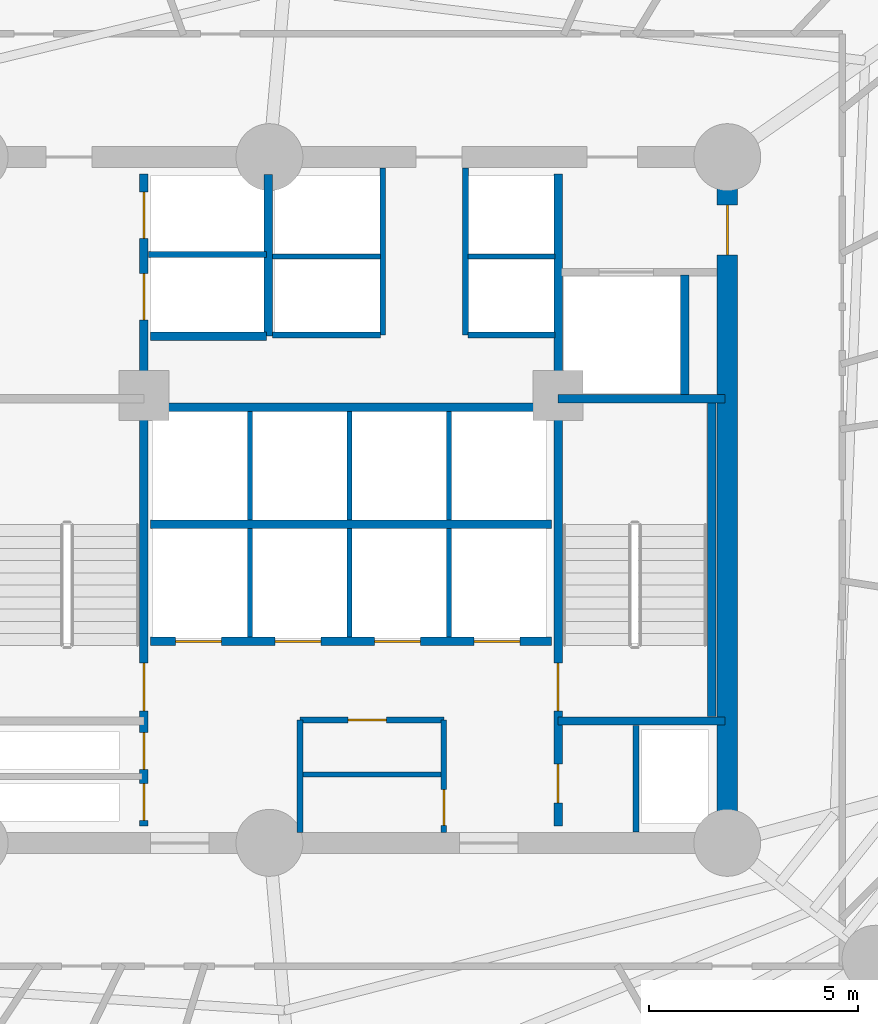
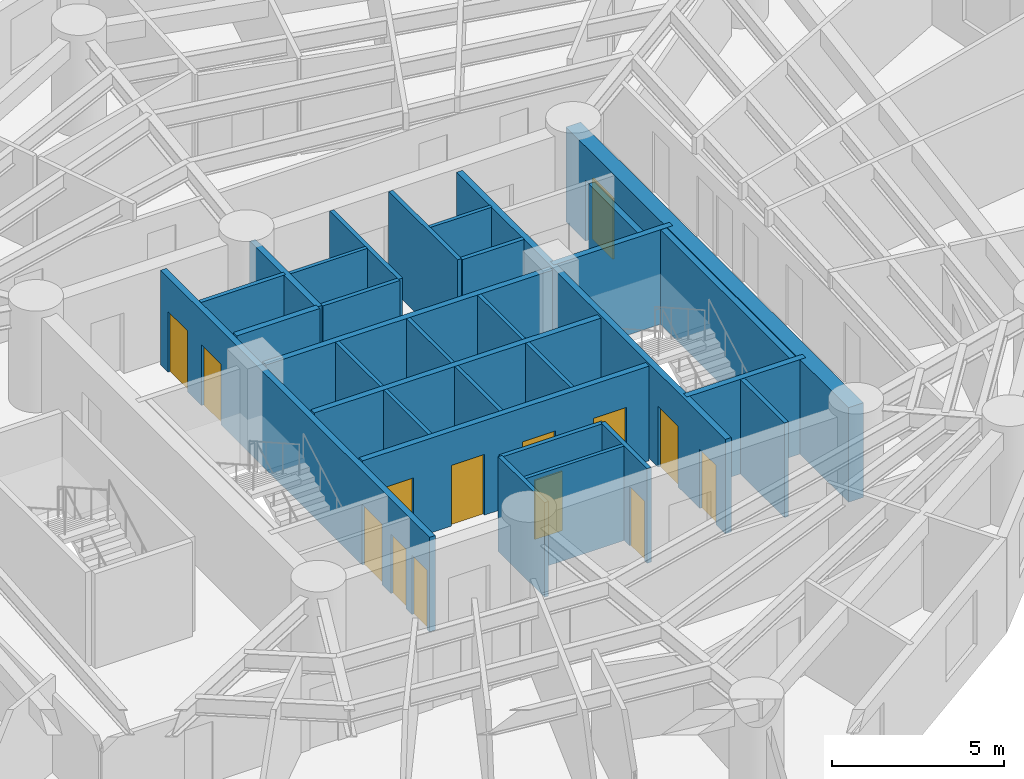
# One storey, part 4 of 8: 30 walls, 14 doors, 14 openings.
"""IFC4 building model written with IfcOpenShell, lengths in metres."""

from ifc_helpers import new_model, si_unit, direction, frame, frame_2d, origin, origin_with_axes, place, context, subcontext, project, spatial, rectangle, extrude, source, transform, mapped, material, layer, layer_set, type_object, element, fill, save


model = new_model("IFC4")

# Units and contexts
model_context = context("Model", 3, precision=1e-05, world=origin(), true_north=direction((0.0, 1.0)))
body_context = subcontext(model_context, "Body", "Model", "MODEL_VIEW")
ifc_project = project(units=[si_unit("LENGTHUNIT", "METRE"), si_unit("AREAUNIT", "SQUARE_METRE"), si_unit("VOLUMEUNIT", "CUBIC_METRE"), si_unit("PLANEANGLEUNIT", "RADIAN"), si_unit("MASSUNIT", "GRAM", prefix="KILO")], contexts=[model_context])

# Site, building, storey
site_placement = place(None, origin())
site = spatial("IfcSite", under=ifc_project, at=site_placement, CompositionType="ELEMENT")
building_placement = place(site_placement, origin())
building = spatial("IfcBuilding", under=site, at=building_placement, Name="Karkom Vertical University and Central Library", CompositionType="ELEMENT")
storey_placement = place(building_placement, frame((0.0, 0.0, 76.89990234375)))
storey = spatial("IfcBuildingStorey", under=building, at=storey_placement, Name="L20", CompositionType="ELEMENT", Elevation=76.89990234375)

# Walls
ifc_material_1 = material(Name="Moisture-resistant drywall 120mm", Category="gypsum")
ifc_layer_1 = layer(ifc_material_1, 0.1201171875)
ifc_layer_set_1 = layer_set([ifc_layer_1], Name="Moisture-resistant drywall 120mm")
wall_type_1 = type_object("IfcWallType", Name="INT-WL-INT-120", PredefinedType="PARTITIONING", material=ifc_layer_set_1)
wall_1_placement = place(storey_placement, frame((27.280029296875, 19.93994140625, 0.0), z_axis=(0.0, 0.0, 1.0), x_axis=(1.0, 0.0, 0.0)))
element("IfcWall", 1, at=wall_1_placement, inside=storey, type_object=wall_type_1, Name="Level 20 Interior Partition Wall L20-CW-K4-DIV", PredefinedType="PARTITIONING", context=body_context, shape_type="SweptSolid", body=[
    extrude(rectangle(XDim=3.43994140625, YDim=0.1201171875, at=frame_2d((1.719970703125, 0.0))), origin(), (0.0, 0.0, 1.0), 3.35009765625),
])
ifc_layer_2 = layer(ifc_material_1, 0.1201171875)
ifc_layer_set_2 = layer_set([ifc_layer_2], Name="Moisture-resistant drywall 120mm")
wall_type_2 = type_object("IfcWallType", Name="INT-WL-INT-120H", PredefinedType="PARTITIONING", material=ifc_layer_set_2)
for number, where, z_axis, x_axis, name in (
    (2, (26.080078125, 23.219970703125, 0.0), (0.0, 0.0, 1.0), (0.0, 1.0, 0.0), "Level 20 Interior Partition Wall L20-CW-PL-DIV1"),
    (3, (28.4599609375, 23.219970703125, 0.0), (0.0, 0.0, 1.0), (0.0, 1.0, 0.0), "Level 20 Interior Partition Wall L20-CW-PL-DIV2"),
    (4, (30.840087890625, 23.219970703125, 0.0), (0.0, 0.0, 1.0), (0.0, 1.0, 0.0), "Level 20 Interior Partition Wall L20-CW-PL-DIV3"),
    (5, (26.080078125, 26.02001953125, 0.0), (0.0, 0.0, 1.0), (0.0, 1.0, 0.0), "Level 20 Interior Partition Wall L20-CW-PM-DIV1"),
    (6, (28.4599609375, 26.02001953125, 0.0), (0.0, 0.0, 1.0), (0.0, 1.0, 0.0), "Level 20 Interior Partition Wall L20-CW-PM-DIV2"),
    (7, (30.840087890625, 26.02001953125, 0.0), (0.0, 0.0, 1.0), (0.0, 1.0, 0.0), "Level 20 Interior Partition Wall L20-CW-PM-DIV3"),
):
    element("IfcWall", number, at=place(storey_placement, frame(where, z_axis=z_axis, x_axis=x_axis)), inside=storey, type_object=wall_type_2, Name=name, PredefinedType="PARTITIONING", context=body_context, shape_type="SweptSolid", body=[
        extrude(rectangle(XDim=2.60009765625, YDim=0.1201171875, at=frame_2d((1.300048828125, 0.0))), origin(), (0.0, 0.0, 1.0), 3.35009765625),
    ])
wall_2_placement = place(storey_placement, frame((26.6201171875, 32.320068359375, 0.0), z_axis=(0.0, 0.0, 1.0), x_axis=(1.0, 0.0, 0.0)))
element("IfcWall", 8, at=wall_2_placement, inside=storey, type_object=wall_type_2, Name="Level 20 Interior Partition Wall L20-CW-PH-MW", PredefinedType="PARTITIONING", context=body_context, shape_type="SweptSolid", body=[
    extrude(rectangle(XDim=2.579833984375, YDim=0.1201171875, at=frame_2d((1.2900390625, 0.0))), origin(), (0.0, 0.0, 1.0), 3.35009765625),
])
wall_3_placement = place(storey_placement, frame((31.300048828125, 32.320068359375, 0.0), z_axis=(0.0, 0.0, 1.0), x_axis=(1.0, 0.0, 0.0)))
element("IfcWall", 9, at=wall_3_placement, inside=storey, type_object=wall_type_2, Name="Level 20 Interior Partition Wall L20-CW-PH-ME", PredefinedType="PARTITIONING", context=body_context, shape_type="SweptSolid", body=[
    extrude(rectangle(XDim=2.074951171875, YDim=0.1201171875, at=frame_2d((1.03759765625, 0.0))), origin(), (0.0, 0.0, 1.0), 3.35009765625),
])

# Wall, opening, door
ifc_material_2 = material(Name="Metal-stud gypsum partition 140mm", Category="gypsum")
ifc_layer_3 = layer(ifc_material_2, 0.139892578125)
ifc_layer_set_3 = layer_set([ifc_layer_3], Name="Metal-stud gypsum partition 140mm")
wall_type_3 = type_object("IfcWallType", Name="INT-WL-SUB-140", PredefinedType="PARTITIONING", material=ifc_layer_set_3)
wall_4_placement = place(storey_placement, frame((27.280029296875, 21.239990234375, 0.0), z_axis=(0.0, 0.0, 1.0), x_axis=(1.0, 0.0, 0.0)))
wall_4 = element("IfcWall", 10, at=wall_4_placement, inside=storey, type_object=wall_type_3, Name="Level 20 Interior Partition Wall L20-CW-KBAY-N", PredefinedType="PARTITIONING", context=body_context, shape_type="SweptSolid", body=[
    extrude(rectangle(XDim=3.43994140625, YDim=0.139892578125, at=frame_2d((1.719970703125, 0.0))), origin(), (0.0, 0.0, 1.0), 3.35009765625),
])
opening_1_placement = place(wall_4_placement, frame((1.14990234375, 0.0, 0.0)))
opening_1 = element("IfcOpeningElement", 11, at=opening_1_placement, cuts=wall_4, Name="Opening D-SVC1", PredefinedType="OPENING", context=body_context, shape_type="SweptSolid", body=[
    extrude(rectangle(XDim=0.919921875, YDim=2.10009765625, at=frame_2d((0.4599609375, 1.050048828125))), frame((0.0, 0.080078125, 0.0), z_axis=(0.0, -1.0, 0.0), x_axis=(1.0, 0.0, 0.0)), (0.0, 0.0, 1.0), 0.159912109375),
])
ifc_material_3 = material(Name="Painted timber service door", Category="wood")
door_type_1 = type_object("IfcDoorType", Name="INT-DR-SVC1", OperationType="NOTDEFINED", PredefinedType="DOOR", material=ifc_material_3)
shared_shape_1 = source(origin_with_axes(), body_context, "Body", "SweptSolid", [
    extrude(rectangle(XDim=0.919921875, YDim=2.10009765625, at=frame_2d((0.4599609375, 1.050048828125))), frame((0.0, 0.02490234375, 0.0), z_axis=(0.0, -1.0, 0.0), x_axis=(1.0, 0.0, 0.0)), (0.0, 0.0, 1.0), 0.050048828125),
])
door_1_placement = place(opening_1_placement, origin())
door_1 = element("IfcDoor", 12, at=door_1_placement, inside=storey, type_object=door_type_1, Name="Level 20 Valve Cupboard Door", OperationType="SINGLE_SWING_LEFT", OverallHeight=2.10009765625, OverallWidth=0.919921875, PredefinedType="DOOR", context=body_context, shape_type="MappedRepresentation", body=[
    mapped(shared_shape_1, transform((0.0, 0.0, 0.0), scale=1.0)),
])
fill(opening_1, door_1)

# Wall
wall_5_placement = place(storey_placement, frame((27.280029296875, 18.550048828125, 0.0), z_axis=(0.0, 0.0, 1.0), x_axis=(0.0, 1.0, 0.0)))
element("IfcWall", 13, at=wall_5_placement, inside=storey, type_object=wall_type_3, Name="Level 20 Interior Partition Wall L20-CW-KBAY-W", PredefinedType="PARTITIONING", context=body_context, shape_type="SweptSolid", body=[
    extrude(rectangle(XDim=2.68994140625, YDim=0.139892578125, at=frame_2d((1.344970703125, 0.0))), origin(), (0.0, 0.0, 1.0), 3.35009765625),
])

# Wall, opening, door
wall_6_placement = place(storey_placement, frame((30.719970703125, 18.550048828125, 0.0), z_axis=(0.0, 0.0, 1.0), x_axis=(0.0, 1.0, 0.0)))
wall_6 = element("IfcWall", 14, at=wall_6_placement, inside=storey, type_object=wall_type_3, Name="Level 20 Interior Partition Wall L20-CW-KBAY-E", PredefinedType="PARTITIONING", context=body_context, shape_type="SweptSolid", body=[
    extrude(rectangle(XDim=2.68994140625, YDim=0.139892578125, at=frame_2d((1.344970703125, 0.0))), origin(), (0.0, 0.0, 1.0), 3.35009765625),
])
opening_2_placement = place(wall_6_placement, frame((0.159912109375, 0.0, 0.0)))
opening_2 = element("IfcOpeningElement", 15, at=opening_2_placement, cuts=wall_6, Name="Opening FD-BTH1", PredefinedType="OPENING", context=body_context, shape_type="SweptSolid", body=[
    extrude(rectangle(XDim=0.860107421875, YDim=2.10009765625, at=frame_2d((0.43017578125, 1.050048828125))), frame((0.0, 0.080078125, 0.0), z_axis=(0.0, -1.0, 0.0), x_axis=(1.0, 0.0, 0.0)), (0.0, 0.0, 1.0), 0.159912109375),
])
ifc_material_4 = material(Name="Fire-rated moisture-resistant oak door", Category="wood")
door_type_2 = type_object("IfcDoorType", Name="INT-DR-FBTH1", OperationType="NOTDEFINED", PredefinedType="DOOR", material=ifc_material_4)
shared_shape_2 = source(origin_with_axes(), body_context, "Body", "SweptSolid", [
    extrude(rectangle(XDim=0.860107421875, YDim=2.10009765625, at=frame_2d((0.43017578125, 1.050048828125))), frame((0.0, 0.02490234375, 0.0), z_axis=(0.0, -1.0, 0.0), x_axis=(1.0, 0.0, 0.0)), (0.0, 0.0, 1.0), 0.050048828125),
])
door_2_placement = place(opening_2_placement, origin())
door_2 = element("IfcDoor", 16, at=door_2_placement, inside=storey, type_object=door_type_2, Name="Level 20 Metering Cupboard Door", OperationType="SINGLE_SWING_RIGHT", OverallHeight=2.10009765625, OverallWidth=0.860107421875, PredefinedType="DOOR", context=body_context, shape_type="MappedRepresentation", body=[
    mapped(shared_shape_2, transform((0.0, 0.0, 0.0), scale=1.0)),
])
fill(opening_2, door_2)

# Walls
ifc_layer_4 = layer(ifc_material_2, 0.139892578125)
ifc_layer_set_4 = layer_set([ifc_layer_4], Name="Metal-stud gypsum partition 140mm")
wall_type_4 = type_object("IfcWallType", Name="INT-WL-SUB-140H", PredefinedType="PARTITIONING", material=ifc_layer_set_4)
for number, where, z_axis, x_axis, name in (
    (17, (29.260009765625, 30.449951171875, 0.0), (0.0, 0.0, 1.0), (0.0, 1.0, 0.0), "Level 20 Interior Partition Wall L20-CW-PH-W"),
    (18, (31.239990234375, 30.449951171875, 0.0), (0.0, 0.0, 1.0), (0.0, 1.0, 0.0), "Level 20 Interior Partition Wall L20-CW-PH-E"),
):
    element("IfcWall", number, at=place(storey_placement, frame(where, z_axis=z_axis, x_axis=x_axis)), inside=storey, type_object=wall_type_4, Name=name, PredefinedType="PARTITIONING", context=body_context, shape_type="SweptSolid", body=[
        extrude(rectangle(XDim=3.9931640625, YDim=0.139892578125, at=frame_2d((1.99658203125, 0.0))), origin(), (0.0, 0.0, 1.0), 3.35009765625),
    ])
wall_7_placement = place(storey_placement, frame((26.6201171875, 30.449951171875, 0.0), z_axis=(0.0, 0.0, 1.0), x_axis=(1.0, 0.0, 0.0)))
element("IfcWall", 19, at=wall_7_placement, inside=storey, type_object=wall_type_4, Name="Level 20 Interior Partition Wall L20-CW-PH-S1", PredefinedType="PARTITIONING", context=body_context, shape_type="SweptSolid", body=[
    extrude(rectangle(XDim=2.579833984375, YDim=0.139892578125, at=frame_2d((1.2900390625, 0.0))), origin(), (0.0, 0.0, 1.0), 3.35009765625),
])
wall_8_placement = place(storey_placement, frame((35.320068359375, 18.556884765625, 0.0), z_axis=(0.0, 0.0, 1.0), x_axis=(0.0, 1.0, 0.0)))
element("IfcWall", 20, at=wall_8_placement, inside=storey, type_object=wall_type_4, Name="Level 20 Interior Partition Wall L20-CW-RIS-E", PredefinedType="PARTITIONING", context=body_context, shape_type="SweptSolid", body=[
    extrude(rectangle(XDim=2.553466796875, YDim=0.139892578125, at=frame_2d((1.27685546875, 0.0))), origin(), (0.0, 0.0, 1.0), 3.35009765625),
])
wall_9_placement = place(storey_placement, frame((31.300048828125, 30.449951171875, 0.0), z_axis=(0.0, 0.0, 1.0), x_axis=(1.0, 0.0, 0.0)))
element("IfcWall", 21, at=wall_9_placement, inside=storey, type_object=wall_type_4, Name="Level 20 Interior Partition Wall L20-CW-PH-S2", PredefinedType="PARTITIONING", context=body_context, shape_type="SweptSolid", body=[
    extrude(rectangle(XDim=2.074951171875, YDim=0.139892578125, at=frame_2d((1.03759765625, 0.0))), origin(), (0.0, 0.0, 1.0), 3.35009765625),
])
ifc_layer_5 = layer(ifc_material_2, 0.139892578125)
ifc_layer_set_5 = layer_set([ifc_layer_5], Name="Metal-stud gypsum partition 140mm")
wall_type_5 = type_object("IfcWallType", Name="INT-WL-SUB-140X", PredefinedType="PARTITIONING", material=ifc_layer_set_5)
wall_10_placement = place(storey_placement, frame((23.652099609375, 32.3701171875, 0.0), z_axis=(0.0, 0.0, 1.0), x_axis=(1.0, 0.0, 0.0)))
element("IfcWall", 22, at=wall_10_placement, inside=storey, type_object=wall_type_5, Name="Level 20 Interior Partition Wall L20-CW-FFL-M", PredefinedType="PARTITIONING", context=body_context, shape_type="SweptSolid", body=[
    extrude(rectangle(XDim=2.827880859375, YDim=0.139892578125, at=frame_2d((1.4140625, 0.0))), origin(), (0.0, 0.0, 1.0), 3.35009765625),
])

# Wall, opening, door
ifc_material_5 = material(Name="Concrete C50/60", Category="concrete")
ifc_layer_6 = layer(ifc_material_5, 0.5)
ifc_layer_set_6 = layer_set([ifc_layer_6], Name="Concrete C50/60")
wall_type_6 = type_object("IfcWallType", Name="STR-WL-CW-500", PredefinedType="SHEAR", material=ifc_layer_set_6)
wall_11_placement = place(storey_placement, frame((37.5, 18.300048828125, 0.0), z_axis=(0.0, 0.0, 1.0), x_axis=(0.0, 1.0, 0.0)))
wall_11 = element("IfcWall", 23, at=wall_11_placement, inside=storey, type_object=wall_type_6, Name="Level 20 Central Core Shear Wall EW", PredefinedType="SHEAR", context=body_context, shape_type="SweptSolid", body=[
    extrude(rectangle(XDim=16.39990234375, YDim=0.5, at=frame_2d((8.199951171875, 0.0))), origin(), (0.0, 0.0, 1.0), 3.35009765625),
])
opening_3_placement = place(wall_11_placement, frame((14.06005859375, 0.0, 0.0)))
opening_3 = element("IfcOpeningElement", 24, at=opening_3_placement, cuts=wall_11, Name="Opening FD-SUB1", PredefinedType="OPENING", context=body_context, shape_type="SweptSolid", body=[
    extrude(rectangle(XDim=1.199951171875, YDim=2.14990234375, at=frame_2d((0.60009765625, 1.074951171875))), frame((0.0, 0.260009765625, 0.0), z_axis=(0.0, -1.0, 0.0), x_axis=(1.0, 0.0, 0.0)), (0.0, 0.0, 1.0), 0.52001953125),
])
ifc_material_6 = material(Name="Painted steel fire door", Category="steel")
door_type_3 = type_object("IfcDoorType", Name="INT-DR-SUB1", OperationType="NOTDEFINED", PredefinedType="DOOR", material=ifc_material_6)
shared_shape_3 = source(origin_with_axes(), body_context, "Body", "SweptSolid", [
    extrude(rectangle(XDim=1.199951171875, YDim=2.14990234375, at=frame_2d((0.60009765625, 1.074951171875))), frame((0.0, 0.02490234375, 0.0), z_axis=(0.0, -1.0, 0.0), x_axis=(1.0, 0.0, 0.0)), (0.0, 0.0, 1.0), 0.050048828125),
])
door_3_placement = place(opening_3_placement, origin())
door_3 = element("IfcDoor", 25, at=door_3_placement, inside=storey, type_object=door_type_3, Name="Level 20 East Corridor Service Lobby Door", OperationType="SINGLE_SWING_LEFT", OverallHeight=2.14990234375, OverallWidth=1.199951171875, PredefinedType="DOOR", context=body_context, shape_type="MappedRepresentation", body=[
    mapped(shared_shape_3, transform((0.0, 0.0, 0.0), scale=1.0)),
])
fill(opening_3, door_3)

# Wall, openings, doors
ifc_material_7 = material(Name="Concrete C45/55", Category="concrete")
ifc_layer_7 = layer(ifc_material_7, 0.199951171875)
ifc_layer_set_7 = layer_set([ifc_layer_7], Name="Concrete C45/55")
wall_type_7 = type_object("IfcWallType", Name="STR-WL-ST-200", PredefinedType="SHEAR", material=ifc_layer_set_7)
wall_12_placement = place(storey_placement, frame((23.544921875, 18.699951171875, 0.0), z_axis=(0.0, 0.0, 1.0), x_axis=(0.0, 1.0, 0.0)))
wall_12 = element("IfcWall", 26, at=wall_12_placement, inside=storey, type_object=wall_type_7, Name="Level 20 Core Shaft Wall L20-CW-ST1-E", PredefinedType="SHEAR", context=body_context, shape_type="SweptSolid", body=[
    extrude(rectangle(XDim=15.60009765625, YDim=0.199951171875, at=frame_2d((7.800048828125, 0.0))), origin(), (0.0, 0.0, 1.0), 3.35009765625),
])
opening_4_placement = place(wall_12_placement, frame((2.75, 0.0, 0.0)))
opening_4 = element("IfcOpeningElement", 27, at=opening_4_placement, cuts=wall_12, Name="Opening FD-ST1", PredefinedType="OPENING", context=body_context, shape_type="SweptSolid", body=[
    extrude(rectangle(XDim=1.14990234375, YDim=2.14990234375, at=frame_2d((0.574951171875, 1.074951171875))), frame((0.0, 0.10986328125, 0.0), z_axis=(0.0, -1.0, 0.0), x_axis=(1.0, 0.0, 0.0)), (0.0, 0.0, 1.0), 0.219970703125),
])
opening_5_placement = place(wall_12_placement, frame((0.139892578125, 0.0, 0.0)))
opening_5 = element("IfcOpeningElement", 28, at=opening_5_placement, cuts=wall_12, Name="Opening FD-RIS", PredefinedType="OPENING", context=body_context, shape_type="SweptSolid", body=[
    extrude(rectangle(XDim=0.8798828125, YDim=2.10009765625, at=frame_2d((0.43994140625, 1.050048828125))), frame((0.0, 0.10986328125, 0.0), z_axis=(0.0, -1.0, 0.0), x_axis=(1.0, 0.0, 0.0)), (0.0, 0.0, 1.0), 0.219970703125),
])
opening_6_placement = place(wall_12_placement, frame((1.360107421875, 0.0, 0.0)))
opening_6 = element("IfcOpeningElement", 29, at=opening_6_placement, cuts=wall_12, Name="Opening FD-RIS", PredefinedType="OPENING", context=body_context, shape_type="SweptSolid", body=[
    extrude(rectangle(XDim=0.8798828125, YDim=2.10009765625, at=frame_2d((0.43994140625, 1.050048828125))), frame((0.0, 0.10986328125, 0.0), z_axis=(0.0, -1.0, 0.0), x_axis=(1.0, 0.0, 0.0)), (0.0, 0.0, 1.0), 0.219970703125),
])
opening_7_placement = place(wall_12_placement, frame((12.10009765625, 0.0, 0.0)))
opening_7 = element("IfcOpeningElement", 30, at=opening_7_placement, cuts=wall_12, Name="Opening LD-FFL", PredefinedType="OPENING", context=body_context, shape_type="SweptSolid", body=[
    extrude(rectangle(XDim=1.1201171875, YDim=2.14990234375, at=frame_2d((0.56005859375, 1.074951171875))), frame((0.0, 0.10986328125, 0.0), z_axis=(0.0, -1.0, 0.0), x_axis=(1.0, 0.0, 0.0)), (0.0, 0.0, 1.0), 0.219970703125),
])
opening_8_placement = place(wall_12_placement, frame((14.050048828125, 0.0, 0.0)))
opening_8 = element("IfcOpeningElement", 31, at=opening_8_placement, cuts=wall_12, Name="Opening LD-FFL", PredefinedType="OPENING", context=body_context, shape_type="SweptSolid", body=[
    extrude(rectangle(XDim=1.1201171875, YDim=2.14990234375, at=frame_2d((0.56005859375, 1.074951171875))), frame((0.0, 0.10986328125, 0.0), z_axis=(0.0, -1.0, 0.0), x_axis=(1.0, 0.0, 0.0)), (0.0, 0.0, 1.0), 0.219970703125),
])
ifc_material_8 = material(Name="Painted steel acoustic fire door", Category="steel")
door_type_4 = type_object("IfcDoorType", Name="INT-DR-ST1", OperationType="NOTDEFINED", PredefinedType="DOOR", material=ifc_material_8)
shared_shape_4 = source(origin_with_axes(), body_context, "Body", "SweptSolid", [
    extrude(rectangle(XDim=1.14990234375, YDim=2.14990234375, at=frame_2d((0.574951171875, 1.074951171875))), frame((0.0, 0.02490234375, 0.0), z_axis=(0.0, -1.0, 0.0), x_axis=(1.0, 0.0, 0.0)), (0.0, 0.0, 1.0), 0.050048828125),
])
door_4_placement = place(opening_4_placement, origin())
door_4 = element("IfcDoor", 32, at=door_4_placement, inside=storey, type_object=door_type_4, Name="Level 20 Stair ST-1 Fire Door", OperationType="SINGLE_SWING_LEFT", OverallHeight=2.14990234375, OverallWidth=1.14990234375, PredefinedType="DOOR", context=body_context, shape_type="MappedRepresentation", body=[
    mapped(shared_shape_4, transform((0.0, 0.0, 0.0), scale=1.0)),
])
fill(opening_4, door_4)
ifc_material_9 = material(Name="Painted steel riser access door", Category="steel")
door_type_5 = type_object("IfcDoorType", Name="INT-DR-RIS", OperationType="NOTDEFINED", PredefinedType="DOOR", material=ifc_material_9)
shared_shape_5 = source(origin_with_axes(), body_context, "Body", "SweptSolid", [
    extrude(rectangle(XDim=0.8798828125, YDim=2.10009765625, at=frame_2d((0.43994140625, 1.050048828125))), frame((0.0, 0.02490234375, 0.0), z_axis=(0.0, -1.0, 0.0), x_axis=(1.0, 0.0, 0.0)), (0.0, 0.0, 1.0), 0.050048828125),
])
door_5_placement = place(opening_5_placement, origin())
door_5 = element("IfcDoor", 33, at=door_5_placement, inside=storey, type_object=door_type_5, Name="Level 20 Electrical Riser Access Door", OperationType="SINGLE_SWING_LEFT", OverallHeight=2.10009765625, OverallWidth=0.8798828125, PredefinedType="DOOR", context=body_context, shape_type="MappedRepresentation", body=[
    mapped(shared_shape_5, transform((0.0, 0.0, 0.0), scale=1.0)),
])
fill(opening_5, door_5)
door_6_placement = place(opening_6_placement, origin())
door_6 = element("IfcDoor", 34, at=door_6_placement, inside=storey, type_object=door_type_5, Name="Level 20 Telecom Riser Access Door", OperationType="SINGLE_SWING_RIGHT", OverallHeight=2.10009765625, OverallWidth=0.8798828125, PredefinedType="DOOR", context=body_context, shape_type="MappedRepresentation", body=[
    mapped(shared_shape_5, transform((0.0, 0.0, 0.0), scale=1.0)),
])
fill(opening_6, door_6)
ifc_material_10 = material(Name="Fire-rated stainless-steel landing door", Category="steel")
door_type_6 = type_object("IfcDoorType", Name="INT-DR-LD-FFL", OperationType="SLIDING_TO_LEFT", PredefinedType="DOOR", material=ifc_material_10)
shared_shape_6 = source(origin_with_axes(), body_context, "Body", "SweptSolid", [
    extrude(rectangle(XDim=1.1201171875, YDim=2.14990234375, at=frame_2d((0.56005859375, 1.074951171875))), frame((0.0, 0.02490234375, 0.0), z_axis=(0.0, -1.0, 0.0), x_axis=(1.0, 0.0, 0.0)), (0.0, 0.0, 1.0), 0.050048828125),
])
door_7_placement = place(opening_7_placement, origin())
door_7 = element("IfcDoor", 35, at=door_7_placement, inside=storey, type_object=door_type_6, Name="Level 20 Firefighting Lift FFL-1 Landing Door", OperationType="SLIDING_TO_LEFT", OverallHeight=2.14990234375, OverallWidth=1.1201171875, PredefinedType="DOOR", context=body_context, shape_type="MappedRepresentation", body=[
    mapped(shared_shape_6, transform((0.0, 0.0, 0.0), scale=1.0)),
])
fill(opening_7, door_7)
door_8_placement = place(opening_8_placement, origin())
door_8 = element("IfcDoor", 36, at=door_8_placement, inside=storey, type_object=door_type_6, Name="Level 20 Firefighting Lift FFL-2 Landing Door", OperationType="SLIDING_TO_RIGHT", OverallHeight=2.14990234375, OverallWidth=1.1201171875, PredefinedType="DOOR", context=body_context, shape_type="MappedRepresentation", body=[
    mapped(shared_shape_6, transform((0.0, 0.0, 0.0), scale=1.0)),
])
fill(opening_8, door_8)

wall_13_placement = place(storey_placement, frame((33.455078125, 18.699951171875, 0.0), z_axis=(0.0, 0.0, 1.0), x_axis=(0.0, 1.0, 0.0)))
wall_13 = element("IfcWall", 37, at=wall_13_placement, inside=storey, type_object=wall_type_7, Name="Level 20 Core Shaft Wall L20-CW-ST2-W", PredefinedType="SHEAR", context=body_context, shape_type="SweptSolid", body=[
    extrude(rectangle(XDim=15.60009765625, YDim=0.199951171875, at=frame_2d((7.800048828125, 0.0))), origin(), (0.0, 0.0, 1.0), 3.35009765625),
])
opening_9_placement = place(wall_13_placement, frame((2.75, 0.0, 0.0)))
opening_9 = element("IfcOpeningElement", 38, at=opening_9_placement, cuts=wall_13, Name="Opening FD-ST1", PredefinedType="OPENING", context=body_context, shape_type="SweptSolid", body=[
    extrude(rectangle(XDim=1.14990234375, YDim=2.14990234375, at=frame_2d((0.574951171875, 1.074951171875))), frame((0.0, 0.10986328125, 0.0), z_axis=(0.0, -1.0, 0.0), x_axis=(1.0, 0.0, 0.0)), (0.0, 0.0, 1.0), 0.219970703125),
])
opening_10_placement = place(wall_13_placement, frame((0.550048828125, 0.0, 0.0)))
opening_10 = element("IfcOpeningElement", 39, at=opening_10_placement, cuts=wall_13, Name="Opening D-WC1", PredefinedType="OPENING", context=body_context, shape_type="SweptSolid", body=[
    extrude(rectangle(XDim=0.93994140625, YDim=2.10009765625, at=frame_2d((0.469970703125, 1.050048828125))), frame((0.0, 0.10986328125, 0.0), z_axis=(0.0, -1.0, 0.0), x_axis=(1.0, 0.0, 0.0)), (0.0, 0.0, 1.0), 0.219970703125),
])
door_9_placement = place(opening_9_placement, origin())
door_9 = element("IfcDoor", 40, at=door_9_placement, inside=storey, type_object=door_type_4, Name="Level 20 Stair ST-2 Fire Door", OperationType="SINGLE_SWING_RIGHT", OverallHeight=2.14990234375, OverallWidth=1.14990234375, PredefinedType="DOOR", context=body_context, shape_type="MappedRepresentation", body=[
    mapped(shared_shape_4, transform((0.0, 0.0, 0.0), scale=1.0)),
])
fill(opening_9, door_9)
ifc_material_11 = material(Name="Fire-rated laminate moisture-resistant door", Category="wood")
door_type_7 = type_object("IfcDoorType", Name="INT-DR-WC1", OperationType="NOTDEFINED", PredefinedType="DOOR", material=ifc_material_11)
shared_shape_7 = source(origin_with_axes(), body_context, "Body", "SweptSolid", [
    extrude(rectangle(XDim=0.93994140625, YDim=2.10009765625, at=frame_2d((0.469970703125, 1.050048828125))), frame((0.0, 0.02490234375, 0.0), z_axis=(0.0, -1.0, 0.0), x_axis=(1.0, 0.0, 0.0)), (0.0, 0.0, 1.0), 0.050048828125),
])
door_10_placement = place(opening_10_placement, origin())
door_10 = element("IfcDoor", 41, at=door_10_placement, inside=storey, type_object=door_type_7, Name="Level 20 Accessible WC Door", OperationType="SINGLE_SWING_LEFT", OverallHeight=2.10009765625, OverallWidth=0.93994140625, PredefinedType="DOOR", context=body_context, shape_type="MappedRepresentation", body=[
    mapped(shared_shape_7, transform((0.0, 0.0, 0.0), scale=1.0)),
])
fill(opening_10, door_10)

wall_14_placement = place(storey_placement, frame((23.699951171875, 23.1201171875, 0.0), z_axis=(0.0, 0.0, 1.0), x_axis=(1.0, 0.0, 0.0)))
wall_14 = element("IfcWall", 42, at=wall_14_placement, inside=storey, type_object=wall_type_7, Name="Level 20 Core Shaft Wall L20-CW-B1-S", PredefinedType="SHEAR", context=body_context, shape_type="SweptSolid", body=[
    extrude(rectangle(XDim=9.60009765625, YDim=0.199951171875, at=frame_2d((4.800048828125, 0.0))), origin(), (0.0, 0.0, 1.0), 3.35009765625),
])
opening_11_placement = place(wall_14_placement, frame((0.60009765625, 0.0, 0.0)))
opening_11 = element("IfcOpeningElement", 43, at=opening_11_placement, cuts=wall_14, Name="Opening LD-PAX", PredefinedType="OPENING", context=body_context, shape_type="SweptSolid", body=[
    extrude(rectangle(XDim=1.10009765625, YDim=2.14990234375, at=frame_2d((0.550048828125, 1.074951171875))), frame((0.0, 0.10986328125, 0.0), z_axis=(0.0, -1.0, 0.0), x_axis=(1.0, 0.0, 0.0)), (0.0, 0.0, 1.0), 0.219970703125),
])
opening_12_placement = place(wall_14_placement, frame((2.97998046875, 0.0, 0.0)))
opening_12 = element("IfcOpeningElement", 44, at=opening_12_placement, cuts=wall_14, Name="Opening LD-PAX", PredefinedType="OPENING", context=body_context, shape_type="SweptSolid", body=[
    extrude(rectangle(XDim=1.10009765625, YDim=2.14990234375, at=frame_2d((0.550048828125, 1.074951171875))), frame((0.0, 0.10986328125, 0.0), z_axis=(0.0, -1.0, 0.0), x_axis=(1.0, 0.0, 0.0)), (0.0, 0.0, 1.0), 0.219970703125),
])
opening_13_placement = place(wall_14_placement, frame((5.360107421875, 0.0, 0.0)))
opening_13 = element("IfcOpeningElement", 45, at=opening_13_placement, cuts=wall_14, Name="Opening LD-PAX", PredefinedType="OPENING", context=body_context, shape_type="SweptSolid", body=[
    extrude(rectangle(XDim=1.10009765625, YDim=2.14990234375, at=frame_2d((0.550048828125, 1.074951171875))), frame((0.0, 0.10986328125, 0.0), z_axis=(0.0, -1.0, 0.0), x_axis=(1.0, 0.0, 0.0)), (0.0, 0.0, 1.0), 0.219970703125),
])
opening_14_placement = place(wall_14_placement, frame((7.739990234375, 0.0, 0.0)))
opening_14 = element("IfcOpeningElement", 46, at=opening_14_placement, cuts=wall_14, Name="Opening LD-PAX", PredefinedType="OPENING", context=body_context, shape_type="SweptSolid", body=[
    extrude(rectangle(XDim=1.10009765625, YDim=2.14990234375, at=frame_2d((0.550048828125, 1.074951171875))), frame((0.0, 0.10986328125, 0.0), z_axis=(0.0, -1.0, 0.0), x_axis=(1.0, 0.0, 0.0)), (0.0, 0.0, 1.0), 0.219970703125),
])
ifc_material_12 = material(Name="Brushed stainless-steel landing door", Category="steel")
door_type_8 = type_object("IfcDoorType", Name="INT-DR-LD-PAX", OperationType="SLIDING_TO_LEFT", PredefinedType="DOOR", material=ifc_material_12)
shared_shape_8 = source(origin_with_axes(), body_context, "Body", "SweptSolid", [
    extrude(rectangle(XDim=1.10009765625, YDim=2.14990234375, at=frame_2d((0.550048828125, 1.074951171875))), frame((0.0, 0.02490234375, 0.0), z_axis=(0.0, -1.0, 0.0), x_axis=(1.0, 0.0, 0.0)), (0.0, 0.0, 1.0), 0.050048828125),
])
door_11_placement = place(opening_11_placement, origin())
door_11 = element("IfcDoor", 47, at=door_11_placement, inside=storey, type_object=door_type_8, Name="Level 20 Lift PL-1 Landing Door", OperationType="SLIDING_TO_LEFT", OverallHeight=2.14990234375, OverallWidth=1.10009765625, PredefinedType="DOOR", context=body_context, shape_type="MappedRepresentation", body=[
    mapped(shared_shape_8, transform((0.0, 0.0, 0.0), scale=1.0)),
])
fill(opening_11, door_11)
door_12_placement = place(opening_12_placement, origin())
door_12 = element("IfcDoor", 48, at=door_12_placement, inside=storey, type_object=door_type_8, Name="Level 20 Lift PL-2 Landing Door", OperationType="SLIDING_TO_RIGHT", OverallHeight=2.14990234375, OverallWidth=1.10009765625, PredefinedType="DOOR", context=body_context, shape_type="MappedRepresentation", body=[
    mapped(shared_shape_8, transform((0.0, 0.0, 0.0), scale=1.0)),
])
fill(opening_12, door_12)
door_13_placement = place(opening_13_placement, origin())
door_13 = element("IfcDoor", 49, at=door_13_placement, inside=storey, type_object=door_type_8, Name="Level 20 Lift PL-3 Landing Door", OperationType="SLIDING_TO_LEFT", OverallHeight=2.14990234375, OverallWidth=1.10009765625, PredefinedType="DOOR", context=body_context, shape_type="MappedRepresentation", body=[
    mapped(shared_shape_8, transform((0.0, 0.0, 0.0), scale=1.0)),
])
fill(opening_13, door_13)
door_14_placement = place(opening_14_placement, origin())
door_14 = element("IfcDoor", 50, at=door_14_placement, inside=storey, type_object=door_type_8, Name="Level 20 Lift PL-4 Landing Door", OperationType="SLIDING_TO_RIGHT", OverallHeight=2.14990234375, OverallWidth=1.10009765625, PredefinedType="DOOR", context=body_context, shape_type="MappedRepresentation", body=[
    mapped(shared_shape_8, transform((0.0, 0.0, 0.0), scale=1.0)),
])
fill(opening_14, door_14)

# Walls
for number, where, z_axis, x_axis, name in (
    (51, (23.699951171875, 25.919921875, 0.0), (0.0, 0.0, 1.0), (1.0, 0.0, 0.0), "Level 20 Core Shaft Wall L20-CW-B1-N"),
    (52, (23.699951171875, 28.719970703125, 0.0), (0.0, 0.0, 1.0), (1.0, 0.0, 0.0), "Level 20 Core Shaft Wall L20-CW-B2-N"),
):
    element("IfcWall", number, at=place(storey_placement, frame(where, z_axis=z_axis, x_axis=x_axis)), inside=storey, type_object=wall_type_7, Name=name, PredefinedType="SHEAR", context=body_context, shape_type="SweptSolid", body=[
        extrude(rectangle(XDim=9.60009765625, YDim=0.199951171875, at=frame_2d((4.800048828125, 0.0))), origin(), (0.0, 0.0, 1.0), 3.35009765625),
    ])
wall_15_placement = place(storey_placement, frame((37.125, 21.320068359375, 0.0), z_axis=(0.0, 0.0, 1.0), x_axis=(0.0, 1.0, 0.0)))
element("IfcWall", 53, at=wall_15_placement, inside=storey, type_object=wall_type_7, Name="Level 20 Core Shaft Wall L20-CW-ST2-E", PredefinedType="SHEAR", context=body_context, shape_type="SweptSolid", body=[
    extrude(rectangle(XDim=7.5, YDim=0.199951171875, at=frame_2d((3.75, 0.0))), origin(), (0.0, 0.0, 1.0), 3.35009765625),
])
for number, where, z_axis, x_axis, name in (
    (54, (33.455078125, 21.215087890625, 0.0), (0.0, 0.0, 1.0), (1.0, 0.0, 0.0), "Level 20 Core Shaft Wall L20-CW-ST2-S"),
    (55, (33.455078125, 28.925048828125, 0.0), (0.0, 0.0, 1.0), (1.0, 0.0, 0.0), "Level 20 Core Shaft Wall L20-CW-ST2-N"),
):
    element("IfcWall", number, at=place(storey_placement, frame(where, z_axis=z_axis, x_axis=x_axis)), inside=storey, type_object=wall_type_7, Name=name, PredefinedType="SHEAR", context=body_context, shape_type="SweptSolid", body=[
        extrude(rectangle(XDim=3.994873046875, YDim=0.199951171875, at=frame_2d((1.99755859375, 0.0))), origin(), (0.0, 0.0, 1.0), 3.35009765625),
    ])
wall_16_placement = place(storey_placement, frame((26.52001953125, 30.419921875, 0.0), z_axis=(0.0, 0.0, 1.0), x_axis=(0.0, 1.0, 0.0)))
element("IfcWall", 56, at=wall_16_placement, inside=storey, type_object=wall_type_7, Name="Level 20 Core Shaft Wall L20-CW-FFL-E", PredefinedType="SHEAR", context=body_context, shape_type="SweptSolid", body=[
    extrude(rectangle(XDim=3.860107421875, YDim=0.199951171875, at=frame_2d((1.93017578125, 0.0))), origin(), (0.0, 0.0, 1.0), 3.35009765625),
])
wall_17_placement = place(storey_placement, frame((36.47998046875, 29.02001953125, 0.0), z_axis=(0.0, 0.0, 1.0), x_axis=(0.0, 1.0, 0.0)))
element("IfcWall", 57, at=wall_17_placement, inside=storey, type_object=wall_type_7, Name="Level 20 Core Shaft Wall L20-CW-SVL-E", PredefinedType="SHEAR", context=body_context, shape_type="SweptSolid", body=[
    extrude(rectangle(XDim=2.85986328125, YDim=0.199951171875, at=frame_2d((1.429931640625, 0.0))), origin(), (0.0, 0.0, 1.0), 3.35009765625),
])
wall_18_placement = place(storey_placement, frame((23.699951171875, 30.419921875, 0.0), z_axis=(0.0, 0.0, 1.0), x_axis=(1.0, 0.0, 0.0)))
element("IfcWall", 58, at=wall_18_placement, inside=storey, type_object=wall_type_7, Name="Level 20 Core Shaft Wall L20-CW-FFL-S", PredefinedType="SHEAR", context=body_context, shape_type="SweptSolid", body=[
    extrude(rectangle(XDim=2.780029296875, YDim=0.199951171875, at=frame_2d((1.39013671875, 0.0))), origin(), (0.0, 0.0, 1.0), 3.35009765625),
])

save(model, "model.ifc")
